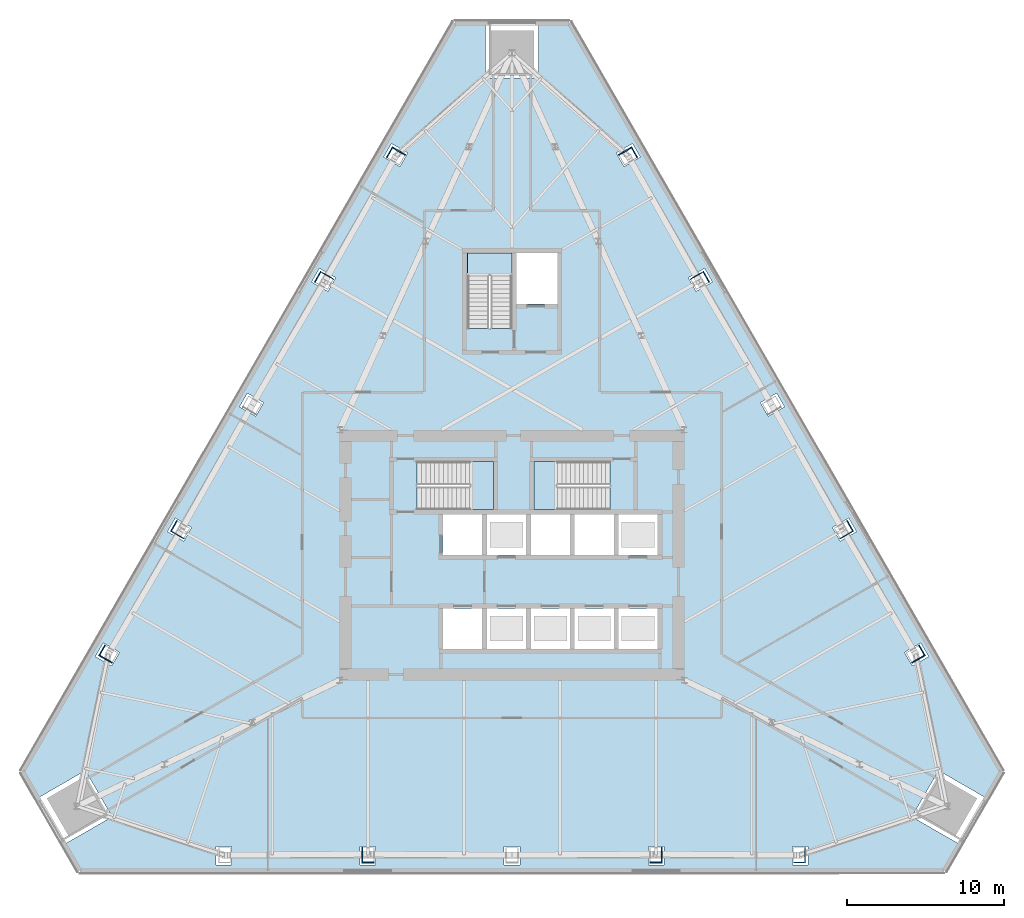
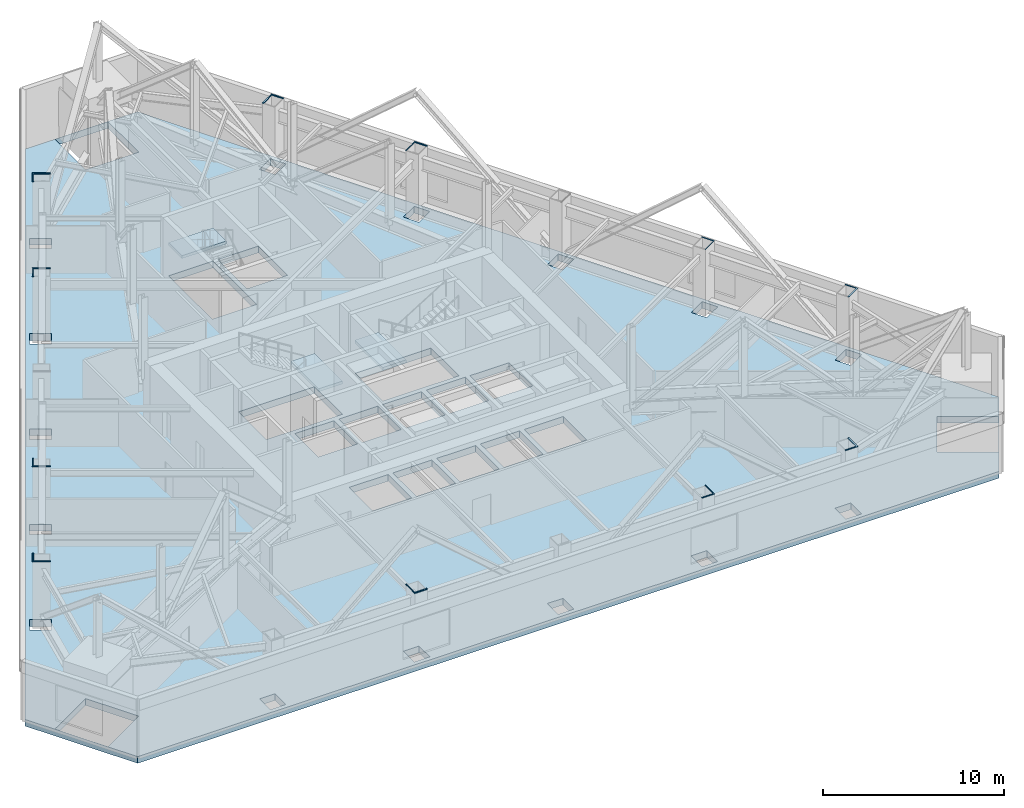
# One storey, part 5 of 13: 11 plates, 4 slabs, 3 elements without a shape of their own.
"""IFC4 building model written with IfcOpenShell, lengths in metres."""

from ifc_helpers import new_model, si_unit, direction, frame, origin, place, context, subcontext, project, spatial, polyline, outline, extrude, material, layer, layer_set, type_object, element, aggregate, save


model = new_model("IFC4")

# Units and contexts
model_context = context("Model", 3, precision=1e-05, world=origin(), true_north=direction((0.0, 1.0)))
body_context = subcontext(model_context, "Body", "Model", "MODEL_VIEW")
ifc_project = project(units=[si_unit("LENGTHUNIT", "METRE"), si_unit("AREAUNIT", "SQUARE_METRE"), si_unit("VOLUMEUNIT", "CUBIC_METRE"), si_unit("PLANEANGLEUNIT", "RADIAN"), si_unit("MASSUNIT", "GRAM", prefix="KILO")], contexts=[model_context])

# Site, building, storey
site_placement = place(None, origin())
site = spatial("IfcSite", under=ifc_project, at=site_placement, CompositionType="ELEMENT")
building_placement = place(site_placement, origin())
building = spatial("IfcBuilding", under=site, at=building_placement, Name="Firuza Gate Tower and Library", CompositionType="ELEMENT")
storey_placement = place(building_placement, frame((0.0, 0.0, 146.800048828125)))
storey = spatial("IfcBuildingStorey", under=building, at=storey_placement, Name="L33", CompositionType="ELEMENT", Elevation=146.800048828125)

# Plates
ifc_material_1 = material(Name="Steel S355", Category="steel")
ifc_layer_1 = layer(ifc_material_1, 0.030029296875)
ifc_layer_set_1 = layer_set([ifc_layer_1], Name="Column infill plate 30 Steel S355")
plate_type = type_object("IfcPlateType", Name="Column infill plate 30 Steel S355", PredefinedType="SHEET", material=ifc_layer_set_1)
placement_1 = place(storey_placement, frame((0.0, 0.0, 4.5)))
element("IfcPlate", 1, at=placement_1, inside=storey, type_object=plate_type, Name="Infill plate L33:S2", PredefinedType="SHEET", context=body_context, shape_type="SweptSolid", body=[
    extrude(outline(polyline([(66.216552734375, 55.337158203125), (66.216552734375, 55.4091796875), (65.458251953125, 55.4091796875), (65.458251953125, 56.337158203125), (65.416748046875, 56.337158203125), (65.416748046875, 55.337158203125), (66.216552734375, 55.337158203125)])), origin(), (0.0, 0.0, 1.0), 0.030029296875),
])
element("IfcPlate", 2, at=placement_1, inside=storey, type_object=plate_type, Name="Infill plate L33:S4", PredefinedType="SHEET", context=body_context, shape_type="SweptSolid", body=[
    extrude(outline(polyline([(84.583251953125, 56.337158203125), (84.541748046875, 56.337158203125), (84.541748046875, 55.4091796875), (83.783447265625, 55.4091796875), (83.783447265625, 55.337158203125), (84.583251953125, 55.337158203125), (84.583251953125, 56.337158203125)])), origin(), (0.0, 0.0, 1.0), 0.030029296875),
])
element("IfcPlate", 3, at=placement_1, inside=storey, type_object=plate_type, Name="Infill plate L33:S5", PredefinedType="SHEET", context=body_context, shape_type="SweptSolid", body=[
    extrude(outline(polyline([(93.7666015625, 56.337158203125), (93.683349609375, 56.337158203125), (93.683349609375, 55.4091796875), (92.966552734375, 55.4091796875), (92.966552734375, 55.337158203125), (93.7666015625, 55.337158203125), (93.7666015625, 56.337158203125)])), origin(), (0.0, 0.0, 1.0), 0.030029296875),
])
element("IfcPlate", 4, at=placement_1, inside=storey, type_object=plate_type, Name="Infill plate L33:E1", PredefinedType="SHEET", context=body_context, shape_type="SweptSolid", body=[
    extrude(outline(polyline([(101.011962890625, 69.27197265625), (100.949462890625, 69.23583984375), (101.307861328125, 68.615234375), (100.504150390625, 68.151123046875), (100.5458984375, 68.0791015625), (101.411865234375, 68.5791015625), (101.011962890625, 69.27197265625)])), origin(), (0.0, 0.0, 1.0), 0.030029296875),
])
element("IfcPlate", 5, at=placement_1, inside=storey, type_object=plate_type, Name="Infill plate L33:E2", PredefinedType="SHEET", context=body_context, shape_type="SweptSolid", body=[
    extrude(outline(polyline([(96.420166015625, 77.224853515625), (96.357666015625, 77.188720703125), (96.73681640625, 76.531982421875), (95.933349609375, 76.068115234375), (95.954345703125, 76.031982421875), (96.8203125, 76.531982421875), (96.420166015625, 77.224853515625)])), origin(), (0.0, 0.0, 1.0), 0.030029296875),
])
element("IfcPlate", 6, at=placement_1, inside=storey, type_object=plate_type, Name="Infill plate L33:E4", PredefinedType="SHEET", context=body_context, shape_type="SweptSolid", body=[
    extrude(outline(polyline([(86.370849609375, 92.630859375), (86.391845703125, 92.5947265625), (87.1953125, 93.05859375), (87.574462890625, 92.40185546875), (87.636962890625, 92.43798828125), (87.23681640625, 93.130859375), (86.370849609375, 92.630859375)])), origin(), (0.0, 0.0, 1.0), 0.030029296875),
])
element("IfcPlate", 7, at=placement_1, inside=storey, type_object=plate_type, Name="Infill plate L33:E5", PredefinedType="SHEET", context=body_context, shape_type="SweptSolid", body=[
    extrude(outline(polyline([(81.779296875, 100.583984375), (81.82080078125, 100.51171875), (82.62451171875, 100.9755859375), (82.982666015625, 100.35498046875), (83.045166015625, 100.39111328125), (82.645263671875, 101.083984375), (81.779296875, 100.583984375)])), origin(), (0.0, 0.0, 1.0), 0.030029296875),
])
element("IfcPlate", 8, at=placement_1, inside=storey, type_object=plate_type, Name="Infill plate L33:W1", PredefinedType="SHEET", context=body_context, shape_type="SweptSolid", body=[
    extrude(outline(polyline([(66.954833984375, 100.39111328125), (67.017333984375, 100.35498046875), (67.37548828125, 100.9755859375), (68.17919921875, 100.51171875), (68.220703125, 100.583984375), (67.354736328125, 101.083984375), (66.954833984375, 100.39111328125)])), origin(), (0.0, 0.0, 1.0), 0.030029296875),
])
element("IfcPlate", 9, at=placement_1, inside=storey, type_object=plate_type, Name="Infill plate L33:W2", PredefinedType="SHEET", context=body_context, shape_type="SweptSolid", body=[
    extrude(outline(polyline([(62.363037109375, 92.43798828125), (62.425537109375, 92.40185546875), (62.8046875, 93.05859375), (63.608154296875, 92.5947265625), (63.629150390625, 92.630859375), (62.76318359375, 93.130859375), (62.363037109375, 92.43798828125)])), origin(), (0.0, 0.0, 1.0), 0.030029296875),
])
element("IfcPlate", 10, at=placement_1, inside=storey, type_object=plate_type, Name="Infill plate L33:W4", PredefinedType="SHEET", context=body_context, shape_type="SweptSolid", body=[
    extrude(outline(polyline([(54.045654296875, 76.031982421875), (54.066650390625, 76.068115234375), (53.26318359375, 76.531982421875), (53.642333984375, 77.188720703125), (53.579833984375, 77.224853515625), (53.1796875, 76.531982421875), (54.045654296875, 76.031982421875)])), origin(), (0.0, 0.0, 1.0), 0.030029296875),
])
element("IfcPlate", 11, at=placement_1, inside=storey, type_object=plate_type, Name="Infill plate L33:W5", PredefinedType="SHEET", context=body_context, shape_type="SweptSolid", body=[
    extrude(outline(polyline([(49.4541015625, 68.0791015625), (49.495849609375, 68.151123046875), (48.692138671875, 68.615234375), (49.050537109375, 69.23583984375), (48.988037109375, 69.27197265625), (48.588134765625, 68.5791015625), (49.4541015625, 68.0791015625)])), origin(), (0.0, 0.0, 1.0), 0.030029296875),
])

# Slab
ifc_material_2 = material(Name="Concrete C40/50", Category="concrete")
ifc_layer_2 = layer(ifc_material_2, 0.449951171875)
ifc_layer_set_2 = layer_set([ifc_layer_2], Name="Composite floor slab 450 C40/50")
slab_type_1 = type_object("IfcSlabType", Name="Composite floor slab 450 C40/50", PredefinedType="FLOOR", material=ifc_layer_set_2)
slab_1_placement = place(storey_placement, frame((0.0, 0.0, -0.449951171875)))
element("IfcSlab", 12, at=slab_1_placement, inside=storey, type_object=slab_type_1, Name="Floor slab L33", PredefinedType="FLOOR", context=body_context, shape_type="SweptSolid", body=[
    extrude(outline(polyline([(43.85009765625, 61.17236328125), (47.449951171875, 54.93701171875), (102.550048828125, 54.93701171875), (106.14990234375, 61.17236328125), (78.60009765625, 108.890380859375), (71.39990234375, 108.890380859375), (43.85009765625, 61.17236328125)]), holes=[polyline([(56.08642578125, 55.196533203125), (56.08642578125, 56.396484375), (57.08642578125, 56.396484375), (57.08642578125, 55.196533203125), (56.08642578125, 55.196533203125)]), polyline([(65.293212890625, 55.196533203125), (65.293212890625, 56.396484375), (66.293212890625, 56.396484375), (66.293212890625, 55.196533203125), (65.293212890625, 55.196533203125)]), polyline([(74.5, 55.196533203125), (74.5, 56.396484375), (75.5, 56.396484375), (75.5, 55.196533203125), (74.5, 55.196533203125)]), polyline([(44.81640625, 59.536376953125), (47.7607421875, 61.236572265625), (49.4609375, 58.2919921875), (46.516357421875, 56.592041015625), (44.81640625, 59.536376953125)]), polyline([(48.89306640625, 69.38818359375), (49.93212890625, 68.7880859375), (49.43212890625, 67.922119140625), (48.39306640625, 68.522216796875), (48.89306640625, 69.38818359375)]), polyline([(73.10009765625, 69.0), (70.60009765625, 69.0), (70.60009765625, 71.60009765625), (73.10009765625, 71.60009765625), (73.10009765625, 69.0)]), polyline([(75.89990234375, 69.0), (73.39990234375, 69.0), (73.39990234375, 71.60009765625), (75.89990234375, 71.60009765625), (75.89990234375, 69.0)]), polyline([(73.10009765625, 75.0), (70.60009765625, 75.0), (70.60009765625, 77.60009765625), (73.10009765625, 77.60009765625), (73.10009765625, 75.0)]), polyline([(75.89990234375, 75.0), (73.39990234375, 75.0), (73.39990234375, 77.60009765625), (75.89990234375, 77.60009765625), (75.89990234375, 75.0)]), polyline([(53.496337890625, 77.361572265625), (54.53564453125, 76.761474609375), (54.03564453125, 75.8955078125), (52.996337890625, 76.495361328125), (53.496337890625, 77.361572265625)]), polyline([(73.81005859375, 77.89990234375), (68.9404296875, 77.89990234375), (68.9404296875, 80.97998046875), (73.81005859375, 80.97998046875), (73.81005859375, 77.89990234375)]), polyline([(58.099609375, 85.334716796875), (59.138916015625, 84.73486328125), (58.638916015625, 83.86865234375), (57.599609375, 84.46875), (58.099609375, 85.334716796875)]), polyline([(72.159912109375, 89.470458984375), (72.159912109375, 94.300048828125), (75.0, 94.300048828125), (75.0, 89.470458984375), (72.159912109375, 89.470458984375)]), polyline([(62.703125, 93.30810546875), (63.7421875, 92.7080078125), (63.2421875, 91.842041015625), (62.203125, 92.44189453125), (62.703125, 93.30810546875)]), polyline([(67.306396484375, 101.28125), (68.345703125, 100.681396484375), (67.845703125, 99.815185546875), (66.806396484375, 100.415283203125), (67.306396484375, 101.28125)]), polyline([(76.699951171875, 108.87158203125), (76.699951171875, 105.471435546875), (73.300048828125, 105.471435546875), (73.300048828125, 108.87158203125), (76.699951171875, 108.87158203125)]), polyline([(83.706787109375, 55.196533203125), (83.706787109375, 56.396484375), (84.706787109375, 56.396484375), (84.706787109375, 55.196533203125), (83.706787109375, 55.196533203125)]), polyline([(92.91357421875, 55.196533203125), (92.91357421875, 56.396484375), (93.91357421875, 56.396484375), (93.91357421875, 55.196533203125), (92.91357421875, 55.196533203125)]), polyline([(103.483642578125, 56.592041015625), (100.5390625, 58.2919921875), (102.2392578125, 61.236572265625), (105.18359375, 59.536376953125), (103.483642578125, 56.592041015625)]), polyline([(101.60693359375, 68.522216796875), (100.56787109375, 67.922119140625), (100.06787109375, 68.7880859375), (101.10693359375, 69.38818359375), (101.60693359375, 68.522216796875)]), polyline([(78.699951171875, 69.0), (76.199951171875, 69.0), (76.199951171875, 71.60009765625), (78.699951171875, 71.60009765625), (78.699951171875, 69.0)]), polyline([(81.5, 69.0), (79.0, 69.0), (79.0, 71.60009765625), (81.5, 71.60009765625), (81.5, 69.0)]), polyline([(84.300048828125, 69.0), (81.800048828125, 69.0), (81.800048828125, 71.60009765625), (84.300048828125, 71.60009765625), (84.300048828125, 69.0)]), polyline([(78.699951171875, 75.0), (76.199951171875, 75.0), (76.199951171875, 77.60009765625), (78.699951171875, 77.60009765625), (78.699951171875, 75.0)]), polyline([(81.5, 75.0), (79.0, 75.0), (79.0, 77.60009765625), (81.5, 77.60009765625), (81.5, 75.0)]), polyline([(84.300048828125, 75.0), (81.800048828125, 75.0), (81.800048828125, 77.60009765625), (84.300048828125, 77.60009765625), (84.300048828125, 75.0)]), polyline([(97.003662109375, 76.495361328125), (95.96435546875, 75.8955078125), (95.46435546875, 76.761474609375), (96.503662109375, 77.361572265625), (97.003662109375, 76.495361328125)]), polyline([(81.259521484375, 77.89990234375), (76.389892578125, 77.89990234375), (76.389892578125, 80.97998046875), (81.259521484375, 80.97998046875), (81.259521484375, 77.89990234375)]), polyline([(92.400390625, 84.46875), (91.361083984375, 83.86865234375), (90.861083984375, 84.73486328125), (91.900390625, 85.334716796875), (92.400390625, 84.46875)]), polyline([(87.796875, 92.44189453125), (86.7578125, 91.842041015625), (86.2578125, 92.7080078125), (87.296875, 93.30810546875), (87.796875, 92.44189453125)]), polyline([(77.89990234375, 91.050048828125), (75.300048828125, 91.050048828125), (75.300048828125, 94.300048828125), (77.89990234375, 94.300048828125), (77.89990234375, 91.050048828125)]), polyline([(83.193603515625, 100.415283203125), (82.154296875, 99.815185546875), (81.654296875, 100.681396484375), (82.693603515625, 101.28125), (83.193603515625, 100.415283203125)])]), origin(), (0.0, 0.0, 1.0), 0.449951171875),
])

# Stair, slab
ifc_material_3 = material(Name="Concrete C35/45", Category="concrete")
stair_type_1 = type_object("IfcStairType", Name="Exit stair ST1", PredefinedType="HALF_TURN_STAIR", material=ifc_material_3)
placement_2 = place(storey_placement, origin())
stair_1 = element("IfcStair", 13, at=placement_2, inside=storey, type_object=stair_type_1, Name="L33 Stair ST1", PredefinedType="HALF_TURN_STAIR")
ifc_material_4 = material(Name="Concrete C35/45", Category="concrete")
ifc_layer_3 = layer(ifc_material_4, 0.199951171875)
ifc_layer_set_3 = layer_set([ifc_layer_3], Name="Stair landing 200")
slab_type_2 = type_object("IfcSlabType", Name="Stair landing 200", PredefinedType="LANDING", material=ifc_layer_set_3)
placement_3 = place(storey_placement, frame((0.0, 0.0, 2.050048828125)))
slab_2 = element("IfcSlab", 14, at=placement_3, type_object=slab_type_2, Name="ST1 landing 1", PredefinedType="LANDING", context=body_context, shape_type="SweptSolid", body=[
    extrude(outline(polyline([(72.300048828125, 77.89990234375), (73.81005859375, 77.89990234375), (73.81005859375, 80.97998046875), (72.300048828125, 80.97998046875), (72.300048828125, 77.89990234375)])), origin(), (0.0, 0.0, 1.0), 0.199951171875),
])
aggregate(stair_1, [slab_2])

stair_2 = element("IfcStair", 15, at=placement_2, inside=storey, type_object=stair_type_1, Name="L33 Stair ST2", PredefinedType="HALF_TURN_STAIR")
slab_3 = element("IfcSlab", 16, at=placement_3, type_object=slab_type_2, Name="ST2 landing 1", PredefinedType="LANDING", context=body_context, shape_type="SweptSolid", body=[
    extrude(outline(polyline([(77.89990234375, 80.97998046875), (76.389892578125, 80.97998046875), (76.389892578125, 77.89990234375), (77.89990234375, 77.89990234375), (77.89990234375, 80.97998046875)])), origin(), (0.0, 0.0, 1.0), 0.199951171875),
])
aggregate(stair_2, [slab_3])

ifc_material_5 = material(Name="Concrete C35/45", Category="concrete")
stair_type_2 = type_object("IfcStairType", Name="Exit stair ST10", PredefinedType="HALF_TURN_STAIR", material=ifc_material_5)
stair_3 = element("IfcStair", 17, at=placement_2, inside=storey, type_object=stair_type_2, Name="L33 Stair ST3", PredefinedType="HALF_TURN_STAIR")
slab_4 = element("IfcSlab", 18, at=placement_3, type_object=slab_type_2, Name="ST3 landing 1", PredefinedType="LANDING", context=body_context, shape_type="SweptSolid", body=[
    extrude(outline(polyline([(75.0, 92.830078125), (75.0, 94.300048828125), (72.159912109375, 94.300048828125), (72.159912109375, 92.830078125), (75.0, 92.830078125)])), origin(), (0.0, 0.0, 1.0), 0.199951171875),
])
aggregate(stair_3, [slab_4])

save(model, "model.ifc")
